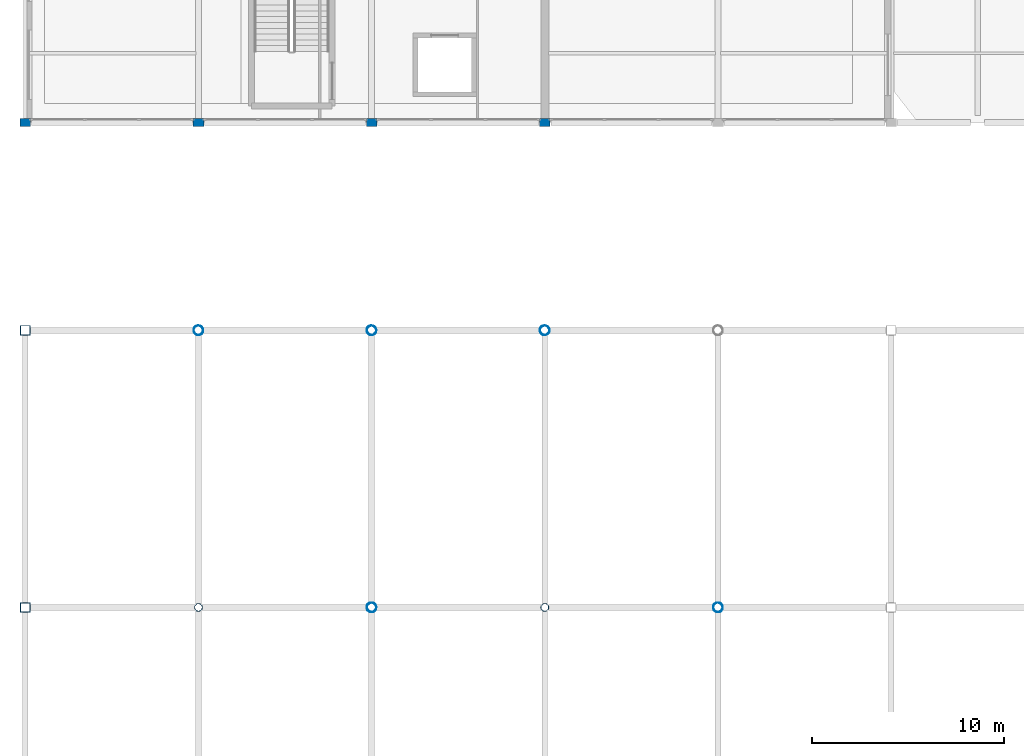
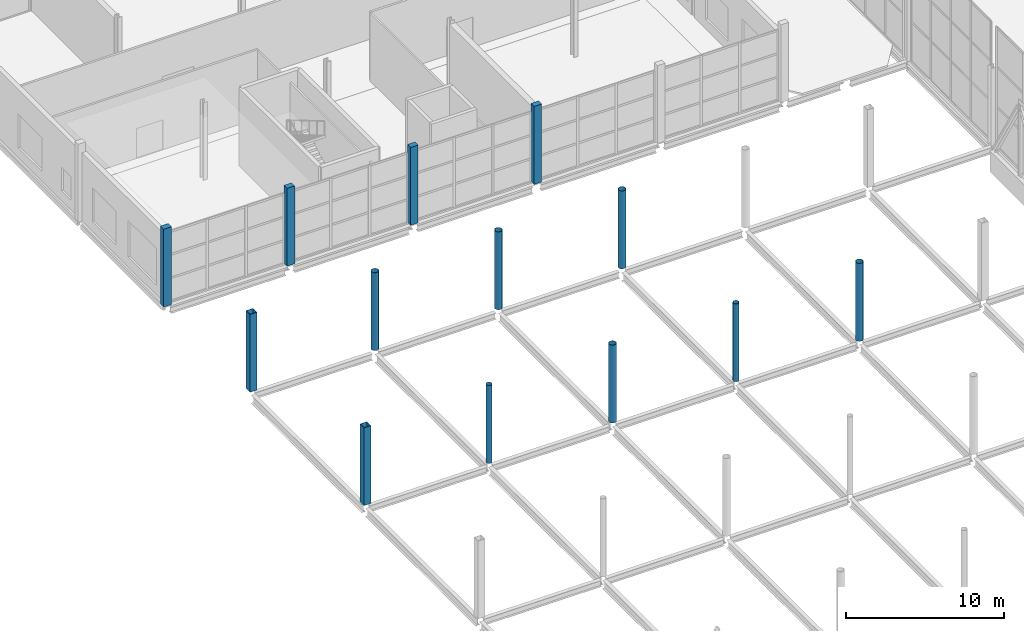
# One storey, part 7 of 191: 13 columns.
"""IFC4 building model written with IfcOpenShell, lengths in metres."""

from ifc_helpers import new_model, si_unit, direction, frame, origin, origin_2d, place, context, subcontext, project, spatial, rectangle, hollow_rectangle, hollow_circle, extrude, material, material_profile, profile_set, type_object, element, save


model = new_model("IFC4")

# Units and contexts
model_context = context("Model", 3, precision=1e-05, world=origin(), true_north=direction((0.0, 1.0)))
body_context = subcontext(model_context, "Body", "Model", "MODEL_VIEW")
ifc_project = project(units=[si_unit("LENGTHUNIT", "METRE"), si_unit("AREAUNIT", "SQUARE_METRE"), si_unit("VOLUMEUNIT", "CUBIC_METRE"), si_unit("PLANEANGLEUNIT", "RADIAN"), si_unit("MASSUNIT", "GRAM", prefix="KILO")], contexts=[model_context])

# Site, building, storey
site_placement = place(None, origin())
site = spatial("IfcSite", under=ifc_project, at=site_placement, CompositionType="ELEMENT")
building_placement = place(site_placement, origin())
building = spatial("IfcBuilding", under=site, at=building_placement, Name="Tamarisk Ironworks Central Station", CompositionType="ELEMENT")
storey_placement = place(building_placement, frame((0.0, 0.0, 6.60009765625)))
storey = spatial("IfcBuildingStorey", under=building, at=storey_placement, Name="L01", CompositionType="ELEMENT", Elevation=6.60009765625)

# Columns
ifc_material_1 = material(Name="Clay facing brickwork and mortar", Category="masonry")
ifc_material_profile_1 = material_profile(ifc_material_1, rectangle(XDim=0.550048828125, YDim=0.39990234375, at=origin_2d()), Name="PIL 550x400")
ifc_profile_set_1 = profile_set([ifc_material_profile_1], Name="Clay facing brickwork and mortar")
column_type_1 = type_object("IfcColumnType", Name="COL-PIL02", PredefinedType="PILASTER", material=ifc_profile_set_1)
for number, where, z_axis, x_axis, name in (
    (1, (0.0, 90.0, 0.0), (0.0, 0.0, 1.0), (1.0, 0.0, 0.0), "L01 column V4-01H"),
    (2, (9.0, 90.0, 0.0), (0.0, 0.0, 1.0), (1.0, 0.0, 0.0), "L01 column V4-02H"),
    (3, (18.0, 90.0, 0.0), (0.0, 0.0, 1.0), (1.0, 0.0, 0.0), "L01 column V4-03H"),
    (4, (27.0, 90.0, 0.0), (0.0, 0.0, 1.0), (1.0, 0.0, 0.0), "L01 column V4-04H"),
):
    element("IfcColumn", number, at=place(storey_placement, frame(where, z_axis=z_axis, x_axis=x_axis)), inside=storey, type_object=column_type_1, Name=name, PredefinedType="PILASTER", context=body_context, shape_type="SweptSolid", body=[
        extrude(rectangle(XDim=0.550048828125, YDim=0.39990234375, at=origin_2d()), origin(), (0.0, 0.0, 1.0), 6.0),
    ])
ifc_material_2 = material(Name="Structural steel S355J2H", Category="steel")
ifc_material_profile_2 = material_profile(ifc_material_2, hollow_rectangle(XDim=0.5, YDim=0.5, WallThickness=0.02001953125, at=origin_2d()), Name="SHS 500x500x20")
ifc_profile_set_2 = profile_set([ifc_material_profile_2], Name="Structural steel S355J2H")
column_type_2 = type_object("IfcColumnType", Name="COL-S13", PredefinedType="COLUMN", material=ifc_profile_set_2)
for number, where, z_axis, x_axis, name in (
    (5, (0.0, 64.800048828125, 0.0), (0.0, 0.0, 1.0), (1.0, 0.0, 0.0), "L01 column V1-01F"),
    (6, (0.0, 79.199951171875, 0.0), (0.0, 0.0, 1.0), (1.0, 0.0, 0.0), "L01 column V1-01G"),
):
    element("IfcColumn", number, at=place(storey_placement, frame(where, z_axis=z_axis, x_axis=x_axis)), inside=storey, type_object=column_type_2, Name=name, PredefinedType="COLUMN", context=body_context, shape_type="SweptSolid", body=[
        extrude(hollow_rectangle(XDim=0.5, YDim=0.5, WallThickness=0.02001953125, at=origin_2d()), origin(), (0.0, 0.0, 1.0), 6.0),
    ])
ifc_material_profile_3 = material_profile(ifc_material_2, hollow_circle(Radius=0.25390625, WallThickness=0.01611328125, at=origin_2d()), Name="CHS 508x16")
ifc_profile_set_3 = profile_set([ifc_material_profile_3], Name="Structural steel S355J2H")
column_type_3 = type_object("IfcColumnType", Name="COL-S16", PredefinedType="COLUMN", material=ifc_profile_set_3)
for number, where, z_axis, x_axis, name in (
    (7, (9.0, 79.199951171875, 0.0), (0.0, 0.0, 1.0), (1.0, 0.0, 0.0), "L01 column V1-02G"),
    (8, (18.0, 64.800048828125, 0.0), (0.0, 0.0, 1.0), (1.0, 0.0, 0.0), "L01 column V1-03F"),
    (9, (18.0, 79.199951171875, 0.0), (0.0, 0.0, 1.0), (1.0, 0.0, 0.0), "L01 column V1-03G"),
    (10, (27.0, 79.199951171875, 0.0), (0.0, 0.0, 1.0), (1.0, 0.0, 0.0), "L01 column V1-04G"),
    (11, (36.0, 64.800048828125, 0.0), (0.0, 0.0, 1.0), (1.0, 0.0, 0.0), "L01 column V1-05F"),
):
    element("IfcColumn", number, at=place(storey_placement, frame(where, z_axis=z_axis, x_axis=x_axis)), inside=storey, type_object=column_type_3, Name=name, PredefinedType="COLUMN", context=body_context, shape_type="SweptSolid", body=[
        extrude(hollow_circle(Radius=0.25390625, WallThickness=0.01611328125, at=origin_2d()), origin(), (0.0, 0.0, 1.0), 6.0),
    ])
ifc_material_profile_4 = material_profile(ifc_material_2, hollow_circle(Radius=0.203125, WallThickness=0.01416015625, at=origin_2d()), Name="CHS 406.4x14.2")
ifc_profile_set_4 = profile_set([ifc_material_profile_4], Name="Structural steel S355J2H")
column_type_4 = type_object("IfcColumnType", Name="COL-S17", PredefinedType="COLUMN", material=ifc_profile_set_4)
for number, where, z_axis, x_axis, name in (
    (12, (9.0, 64.800048828125, 0.0), (0.0, 0.0, 1.0), (1.0, 0.0, 0.0), "L01 column V1-02F"),
    (13, (27.0, 64.800048828125, 0.0), (0.0, 0.0, 1.0), (1.0, 0.0, 0.0), "L01 column V1-04F"),
):
    element("IfcColumn", number, at=place(storey_placement, frame(where, z_axis=z_axis, x_axis=x_axis)), inside=storey, type_object=column_type_4, Name=name, PredefinedType="COLUMN", context=body_context, shape_type="SweptSolid", body=[
        extrude(hollow_circle(Radius=0.203125, WallThickness=0.01416015625, at=origin_2d()), origin(), (0.0, 0.0, 1.0), 6.0),
    ])

save(model, "model.ifc")
